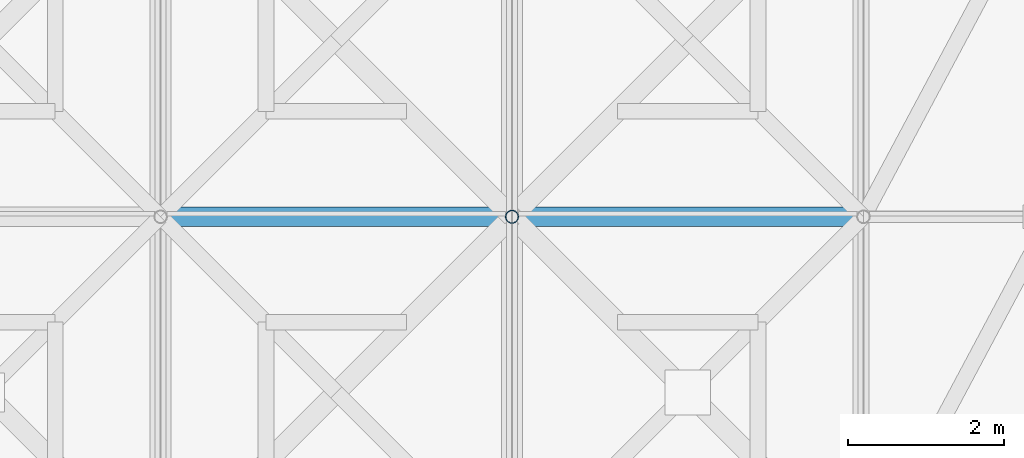
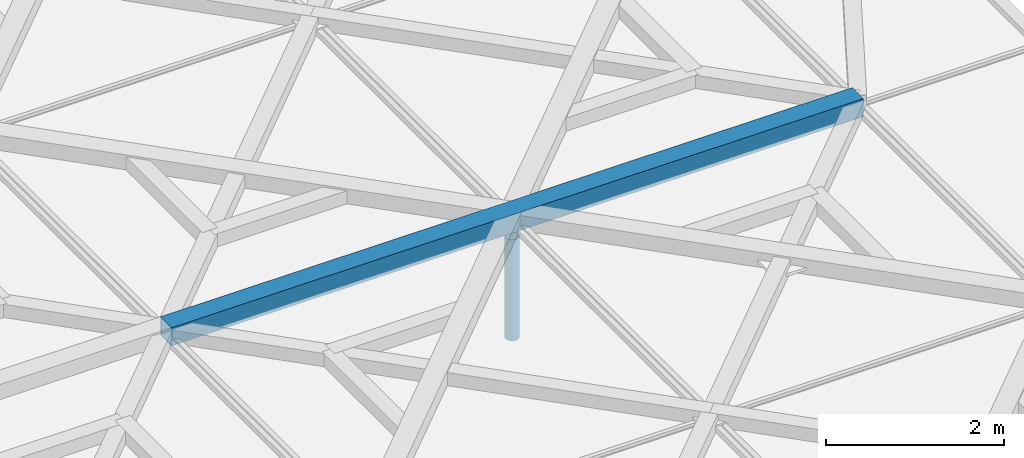
# One storey, part 46 of 80: 2 members.
"""IFC4 building model written with IfcOpenShell, lengths in metres."""

from ifc_helpers import new_model, si_unit, direction, frame, origin, origin_2d, place, context, subcontext, project, spatial, hollow_rectangle, hollow_circle, extrude, material, material_profile, profile_set, type_object, element, save


model = new_model("IFC4")

# Units and contexts
model_context = context("Model", 3, precision=1e-05, world=origin(), true_north=direction((0.0, 1.0)))
body_context = subcontext(model_context, "Body", "Model", "MODEL_VIEW")
ifc_project = project(units=[si_unit("LENGTHUNIT", "METRE"), si_unit("AREAUNIT", "SQUARE_METRE"), si_unit("VOLUMEUNIT", "CUBIC_METRE"), si_unit("PLANEANGLEUNIT", "RADIAN"), si_unit("MASSUNIT", "GRAM", prefix="KILO"), si_unit("THERMODYNAMICTEMPERATUREUNIT", "KELVIN"), si_unit("POWERUNIT", "WATT")], contexts=[model_context])

# Site, building, storey
site_placement = place(None, origin())
site = spatial("IfcSite", under=ifc_project, at=site_placement, CompositionType="ELEMENT")
building_placement = place(site_placement, origin())
building = spatial("IfcBuilding", under=site, at=building_placement, Name="Tallowbark Science Centre", CompositionType="ELEMENT")
storey_placement = place(building_placement, frame((0.0, 0.0, 25.949951171875)))
storey = spatial("IfcBuildingStorey", under=building, at=storey_placement, Name="ROOF", CompositionType="ELEMENT", Elevation=25.949951171875)

# Members
ifc_material = material(Name="White Architectural Painted Steel Grade C350L0 (350 MPa)", Category="steel")
ifc_material_profile_1 = material_profile(ifc_material, hollow_rectangle(XDim=0.25, YDim=0.25, WallThickness=0.009033203125, at=origin_2d()), Name="250x250x9.0SHS")
ifc_profile_set_1 = profile_set([ifc_material_profile_1], Name="White Architectural Painted Steel Grade C350L0 (350 MPa)")
member_type_1 = type_object("IfcMemberType", Name="SCR-CHD200", PredefinedType="CHORD", material=ifc_profile_set_1)
member_1_placement = place(storey_placement, frame((94.5, 22.5, 0.449951171875), z_axis=(1.0, 0.0, 0.0), x_axis=(0.0, 1.0, 0.0)))
element("IfcMember", 1, at=member_1_placement, inside=storey, type_object=member_type_1, Name="Star Screen Frame Chord TOP-71", PredefinedType="CHORD", context=body_context, shape_type="SweptSolid", body=[
    extrude(hollow_rectangle(XDim=0.25, YDim=0.25, WallThickness=0.009033203125, at=origin_2d()), origin(), (0.0, 0.0, 1.0), 9.0),
])
ifc_material_profile_2 = material_profile(ifc_material, hollow_circle(Radius=0.084228515625, WallThickness=0.007080078125, at=origin_2d()), Name="168.3x7.1CHS")
ifc_profile_set_2 = profile_set([ifc_material_profile_2], Name="White Architectural Painted Steel Grade C350L0 (350 MPa)")
member_type_2 = type_object("IfcMemberType", Name="TR-WEB168", PredefinedType="BRACE", material=ifc_profile_set_2)
member_2_placement = place(storey_placement, frame((99.0, 22.5, -1.199951171875), z_axis=(0.0, 0.0, 1.0), x_axis=(1.0, 0.0, 0.0)))
element("IfcMember", 2, at=member_2_placement, inside=storey, type_object=member_type_2, Name="Exhibition Roof Truss Web 10-22.5", PredefinedType="BRACE", context=body_context, shape_type="SweptSolid", body=[
    extrude(hollow_circle(Radius=0.084228515625, WallThickness=0.007080078125, at=origin_2d()), origin(), (0.0, 0.0, 1.0), 1.389892578125),
])

save(model, "model.ifc")
